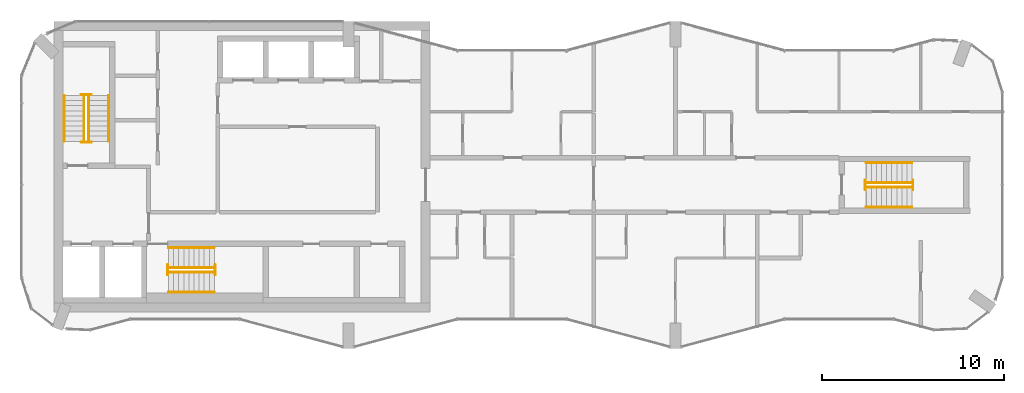
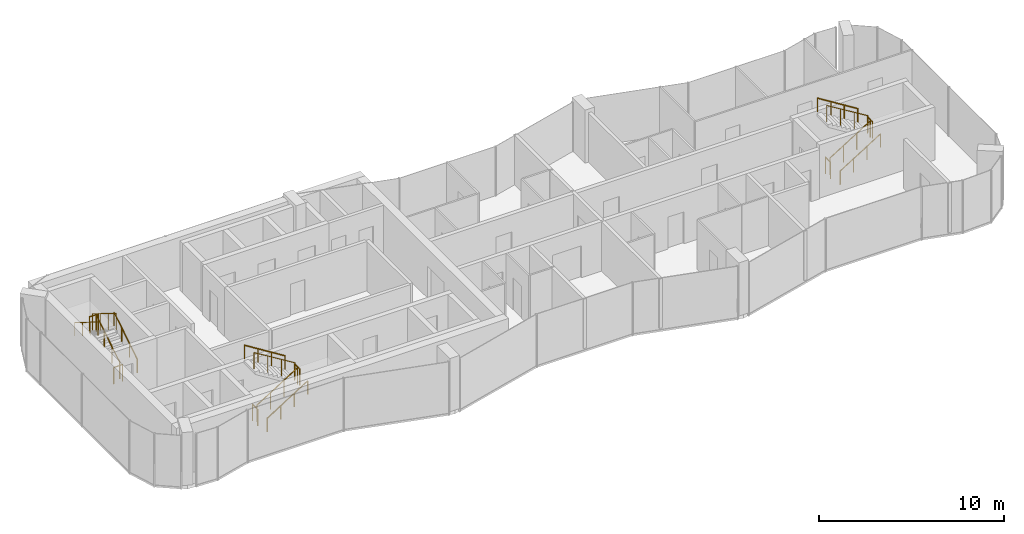
# One storey, part 10 of 10: 18 railings.
"""IFC4 building model written with IfcOpenShell, lengths in metres."""

from ifc_helpers import new_model, si_unit, direction, frame, origin, origin_2d, place, context, subcontext, project, spatial, circle, extrude, material, type_object, element, save


model = new_model("IFC4")

# Units and contexts
model_context = context("Model", 3, precision=1e-05, world=origin(), true_north=direction((0.0, 1.0)))
body_context = subcontext(model_context, "Body", "Model", "MODEL_VIEW")
ifc_project = project(units=[si_unit("LENGTHUNIT", "METRE"), si_unit("AREAUNIT", "SQUARE_METRE"), si_unit("VOLUMEUNIT", "CUBIC_METRE"), si_unit("PLANEANGLEUNIT", "RADIAN"), si_unit("MASSUNIT", "GRAM", prefix="KILO")], contexts=[model_context])

# Site, building, storey
site_placement = place(None, origin())
site = spatial("IfcSite", under=ifc_project, at=site_placement, CompositionType="ELEMENT")
building_placement = place(site_placement, origin())
building = spatial("IfcBuilding", under=site, at=building_placement, Name="Plateau Cross Towers", CompositionType="ELEMENT")
storey_placement = place(building_placement, frame((0.0, 0.0, 245.89990234375)))
storey = spatial("IfcBuildingStorey", under=building, at=storey_placement, Name="L64", CompositionType="ELEMENT", Elevation=245.89990234375)

# Railings
ifc_material_1 = material(Name="Stainless steel and toughened glass", Category="steel")
railing_type_1 = type_object("IfcRailingType", Name="RL-GUARD-1100", PredefinedType="GUARDRAIL", material=ifc_material_1)
railing_1_placement = place(storey_placement, frame((3.699951171875, 11.39990234375, 0.175048828125)))
element("IfcRailing", 1, at=railing_1_placement, inside=storey, type_object=railing_type_1, Name="L64 ST-1 stair guard 1", PredefinedType="GUARDRAIL", context=body_context, shape_type="SweptSolid", body=[
    extrude(circle(Radius=0.02392578125, at=origin_2d()), frame((0.0, 0.0, 1.076171875), z_axis=(0.0, 0.848007534815, 0.529984170421), x_axis=(-1.0, 0.0, 0.0)), (0.0, 0.0, 1.0), 2.9716796875),
    extrude(circle(Radius=0.02099609375, at=origin_2d()), origin(), (0.0, 0.0, 1.0), 1.052001953125),
    extrude(circle(Radius=0.02099609375, at=origin_2d()), frame((0.0, 0.840087890625, 0.52490234375)), (0.0, 0.0, 1.0), 1.052001953125),
    extrude(circle(Radius=0.02099609375, at=origin_2d()), frame((0.0, 1.679931640625, 1.050048828125)), (0.0, 0.0, 1.0), 1.052001953125),
    extrude(circle(Radius=0.02099609375, at=origin_2d()), frame((0.0, 2.52001953125, 1.574951171875)), (0.0, 0.0, 1.0), 1.052001953125),
])
railing_2_placement = place(storey_placement, frame((3.85009765625, 13.969970703125, 1.75)))
element("IfcRailing", 2, at=railing_2_placement, inside=storey, type_object=railing_type_1, Name="L64 ST-1 stair guard 2", PredefinedType="GUARDRAIL", context=body_context, shape_type="SweptSolid", body=[
    extrude(circle(Radius=0.02392578125, at=origin_2d()), frame((0.0, 0.0, 1.076171875), z_axis=(-1.0, 0.0, 0.0), x_axis=(0.0, -1.0, 0.0)), (0.0, 0.0, 1.0), 0.550048828125),
    extrude(circle(Radius=0.02099609375, at=origin_2d()), origin(), (0.0, 0.0, 1.0), 1.052001953125),
    extrude(circle(Radius=0.02099609375, at=origin_2d()), frame((-0.550048828125, 0.0, 0.0)), (0.0, 0.0, 1.0), 1.052001953125),
])
railing_3_placement = place(storey_placement, frame((3.449951171875, 13.919921875, 1.925048828125)))
element("IfcRailing", 3, at=railing_3_placement, inside=storey, type_object=railing_type_1, Name="L64 ST-1 stair guard 3", PredefinedType="GUARDRAIL", context=body_context, shape_type="SweptSolid", body=[
    extrude(circle(Radius=0.02392578125, at=origin_2d()), frame((0.0, 0.0, 1.076171875), z_axis=(0.0, -0.852616386126, 0.522537365276), x_axis=(1.0, 0.0, 0.0)), (0.0, 0.0, 1.0), 3.01416015625),
    extrude(circle(Radius=0.02099609375, at=origin_2d()), origin(), (0.0, 0.0, 1.0), 1.052001953125),
    extrude(circle(Radius=0.02099609375, at=origin_2d()), frame((0.0, -0.856689453125, 0.52490234375)), (0.0, 0.0, 1.0), 1.052001953125),
    extrude(circle(Radius=0.02099609375, at=origin_2d()), frame((0.0, -1.713134765625, 1.050048828125)), (0.0, 0.0, 1.0), 1.052001953125),
    extrude(circle(Radius=0.02099609375, at=origin_2d()), frame((0.0, -2.56982421875, 1.574951171875)), (0.0, 0.0, 1.0), 1.052001953125),
])
railing_4_placement = place(storey_placement, frame((3.85009765625, 11.35009765625, 0.0)))
element("IfcRailing", 4, at=railing_4_placement, inside=storey, type_object=railing_type_1, Name="L64 ST-1 stair guard 4", PredefinedType="GUARDRAIL", context=body_context, shape_type="SweptSolid", body=[
    extrude(circle(Radius=0.02392578125, at=origin_2d()), frame((0.0, 0.0, 1.076171875), z_axis=(-1.0, 0.0, 0.0), x_axis=(0.0, -1.0, 0.0)), (0.0, 0.0, 1.0), 0.550048828125),
    extrude(circle(Radius=0.02099609375, at=origin_2d()), origin(), (0.0, 0.0, 1.0), 1.052001953125),
    extrude(circle(Radius=0.02099609375, at=origin_2d()), frame((-0.550048828125, 0.0, 0.0)), (0.0, 0.0, 1.0), 1.052001953125),
])
railing_5_placement = place(storey_placement, frame((8.10009765625, 4.199951171875, 0.175048828125)))
element("IfcRailing", 5, at=railing_5_placement, inside=storey, type_object=railing_type_1, Name="L64 ST-2 stair guard 1", PredefinedType="GUARDRAIL", context=body_context, shape_type="SweptSolid", body=[
    extrude(circle(Radius=0.02392578125, at=origin_2d()), frame((0.0, 0.0, 1.076171875), z_axis=(0.848007534815, 0.0, 0.529984170421), x_axis=(0.0, 1.0, 0.0)), (0.0, 0.0, 1.0), 2.9716796875),
    extrude(circle(Radius=0.02099609375, at=origin_2d()), origin(), (0.0, 0.0, 1.0), 1.052001953125),
    extrude(circle(Radius=0.02099609375, at=origin_2d()), frame((0.840087890625, 0.0, 0.52490234375)), (0.0, 0.0, 1.0), 1.052001953125),
    extrude(circle(Radius=0.02099609375, at=origin_2d()), frame((1.679931640625, 0.0, 1.050048828125)), (0.0, 0.0, 1.0), 1.052001953125),
    extrude(circle(Radius=0.02099609375, at=origin_2d()), frame((2.52001953125, 0.0, 1.574951171875)), (0.0, 0.0, 1.0), 1.052001953125),
])
railing_6_placement = place(storey_placement, frame((10.669921875, 4.050048828125, 1.75)))
element("IfcRailing", 6, at=railing_6_placement, inside=storey, type_object=railing_type_1, Name="L64 ST-2 stair guard 2", PredefinedType="GUARDRAIL", context=body_context, shape_type="SweptSolid", body=[
    extrude(circle(Radius=0.02392578125, at=origin_2d()), frame((0.0, 0.0, 1.076171875), z_axis=(0.0, 1.0, 0.0), x_axis=(-1.0, 0.0, 0.0)), (0.0, 0.0, 1.0), 0.550048828125),
    extrude(circle(Radius=0.02099609375, at=origin_2d()), origin(), (0.0, 0.0, 1.0), 1.052001953125),
    extrude(circle(Radius=0.02099609375, at=origin_2d()), frame((0.0, 0.550048828125, 0.0)), (0.0, 0.0, 1.0), 1.052001953125),
])
railing_7_placement = place(storey_placement, frame((10.6201171875, 4.449951171875, 1.925048828125)))
element("IfcRailing", 7, at=railing_7_placement, inside=storey, type_object=railing_type_1, Name="L64 ST-2 stair guard 3", PredefinedType="GUARDRAIL", context=body_context, shape_type="SweptSolid", body=[
    extrude(circle(Radius=0.02392578125, at=origin_2d()), frame((0.0, 0.0, 1.076171875), z_axis=(-0.852638500773, 0.0, 0.522501279423), x_axis=(0.0, -1.0, 0.0)), (0.0, 0.0, 1.0), 3.01416015625),
    extrude(circle(Radius=0.02099609375, at=origin_2d()), origin(), (0.0, 0.0, 1.0), 1.052001953125),
    extrude(circle(Radius=0.02099609375, at=origin_2d()), frame((-0.856689453125, 0.0, 0.52490234375)), (0.0, 0.0, 1.0), 1.052001953125),
    extrude(circle(Radius=0.02099609375, at=origin_2d()), frame((-1.71337890625, 0.0, 1.050048828125)), (0.0, 0.0, 1.0), 1.052001953125),
    extrude(circle(Radius=0.02099609375, at=origin_2d()), frame((-2.570068359375, 0.0, 1.574951171875)), (0.0, 0.0, 1.0), 1.052001953125),
])
railing_8_placement = place(storey_placement, frame((8.050048828125, 4.050048828125, 0.0)))
element("IfcRailing", 8, at=railing_8_placement, inside=storey, type_object=railing_type_1, Name="L64 ST-2 stair guard 4", PredefinedType="GUARDRAIL", context=body_context, shape_type="SweptSolid", body=[
    extrude(circle(Radius=0.02392578125, at=origin_2d()), frame((0.0, 0.0, 1.076171875), z_axis=(0.0, 1.0, 0.0), x_axis=(-1.0, 0.0, 0.0)), (0.0, 0.0, 1.0), 0.550048828125),
    extrude(circle(Radius=0.02099609375, at=origin_2d()), origin(), (0.0, 0.0, 1.0), 1.052001953125),
    extrude(circle(Radius=0.02099609375, at=origin_2d()), frame((0.0, 0.550048828125, 0.0)), (0.0, 0.0, 1.0), 1.052001953125),
])
railing_9_placement = place(storey_placement, frame((46.5, 8.875, 0.175048828125)))
element("IfcRailing", 9, at=railing_9_placement, inside=storey, type_object=railing_type_1, Name="L64 ES-E stair guard 1", PredefinedType="GUARDRAIL", context=body_context, shape_type="SweptSolid", body=[
    extrude(circle(Radius=0.02392578125, at=origin_2d()), frame((0.0, 0.0, 1.076171875), z_axis=(0.848007534815, 0.0, 0.529984170421), x_axis=(0.0, 1.0, 0.0)), (0.0, 0.0, 1.0), 2.9716796875),
    extrude(circle(Radius=0.02099609375, at=origin_2d()), origin(), (0.0, 0.0, 1.0), 1.052001953125),
    extrude(circle(Radius=0.02099609375, at=origin_2d()), frame((0.840087890625, 0.0, 0.52490234375)), (0.0, 0.0, 1.0), 1.052001953125),
    extrude(circle(Radius=0.02099609375, at=origin_2d()), frame((1.679931640625, 0.0, 1.050048828125)), (0.0, 0.0, 1.0), 1.052001953125),
    extrude(circle(Radius=0.02099609375, at=origin_2d()), frame((2.52001953125, 0.0, 1.574951171875)), (0.0, 0.0, 1.0), 1.052001953125),
])
railing_10_placement = place(storey_placement, frame((49.070068359375, 8.72509765625, 1.75)))
element("IfcRailing", 10, at=railing_10_placement, inside=storey, type_object=railing_type_1, Name="L64 ES-E stair guard 2", PredefinedType="GUARDRAIL", context=body_context, shape_type="SweptSolid", body=[
    extrude(circle(Radius=0.02392578125, at=origin_2d()), frame((0.0, 0.0, 1.076171875), z_axis=(0.0, 1.0, 0.0), x_axis=(-1.0, 0.0, 0.0)), (0.0, 0.0, 1.0), 0.5498046875),
    extrude(circle(Radius=0.02099609375, at=origin_2d()), origin(), (0.0, 0.0, 1.0), 1.052001953125),
    extrude(circle(Radius=0.02099609375, at=origin_2d()), frame((0.0, 0.5498046875, 0.0)), (0.0, 0.0, 1.0), 1.052001953125),
])
railing_11_placement = place(storey_placement, frame((49.02001953125, 9.125, 1.925048828125)))
element("IfcRailing", 11, at=railing_11_placement, inside=storey, type_object=railing_type_1, Name="L64 ES-E stair guard 3", PredefinedType="GUARDRAIL", context=body_context, shape_type="SweptSolid", body=[
    extrude(circle(Radius=0.02392578125, at=origin_2d()), frame((0.0, 0.0, 1.076171875), z_axis=(-0.852638500773, 0.0, 0.522501279423), x_axis=(0.0, -1.0, 0.0)), (0.0, 0.0, 1.0), 3.01416015625),
    extrude(circle(Radius=0.02099609375, at=origin_2d()), origin(), (0.0, 0.0, 1.0), 1.052001953125),
    extrude(circle(Radius=0.02099609375, at=origin_2d()), frame((-0.856689453125, 0.0, 0.52490234375)), (0.0, 0.0, 1.0), 1.052001953125),
    extrude(circle(Radius=0.02099609375, at=origin_2d()), frame((-1.71337890625, 0.0, 1.050048828125)), (0.0, 0.0, 1.0), 1.052001953125),
    extrude(circle(Radius=0.02099609375, at=origin_2d()), frame((-2.570068359375, 0.0, 1.574951171875)), (0.0, 0.0, 1.0), 1.052001953125),
])
railing_12_placement = place(storey_placement, frame((46.449951171875, 8.72509765625, 0.0)))
element("IfcRailing", 12, at=railing_12_placement, inside=storey, type_object=railing_type_1, Name="L64 ES-E stair guard 4", PredefinedType="GUARDRAIL", context=body_context, shape_type="SweptSolid", body=[
    extrude(circle(Radius=0.02392578125, at=origin_2d()), frame((0.0, 0.0, 1.076171875), z_axis=(0.0, 1.0, 0.0), x_axis=(-1.0, 0.0, 0.0)), (0.0, 0.0, 1.0), 0.5498046875),
    extrude(circle(Radius=0.02099609375, at=origin_2d()), origin(), (0.0, 0.0, 1.0), 1.052001953125),
    extrude(circle(Radius=0.02099609375, at=origin_2d()), frame((0.0, 0.5498046875, 0.0)), (0.0, 0.0, 1.0), 1.052001953125),
])
ifc_material_2 = material(Name="Black anodised aluminium", Category="aluminium")
railing_type_2 = type_object("IfcRailingType", Name="RL-HANDRAIL-900", PredefinedType="HANDRAIL", material=ifc_material_2)
railing_13_placement = place(storey_placement, frame((4.800048828125, 11.39990234375, 0.175048828125)))
element("IfcRailing", 13, at=railing_13_placement, inside=storey, type_object=railing_type_2, Name="L64 ST-1 stair handrail 1", PredefinedType="HANDRAIL", context=body_context, shape_type="SweptSolid", body=[
    extrude(circle(Radius=0.02392578125, at=origin_2d()), frame((0.0, 0.0, 0.8759765625), z_axis=(0.0, 0.848007534815, 0.529984170421), x_axis=(-1.0, 0.0, 0.0)), (0.0, 0.0, 1.0), 2.9716796875),
    extrude(circle(Radius=0.02099609375, at=origin_2d()), origin(), (0.0, 0.0, 1.0), 0.851806640625),
    extrude(circle(Radius=0.02099609375, at=origin_2d()), frame((0.0, 0.840087890625, 0.52490234375)), (0.0, 0.0, 1.0), 0.851806640625),
    extrude(circle(Radius=0.02099609375, at=origin_2d()), frame((0.0, 1.679931640625, 1.050048828125)), (0.0, 0.0, 1.0), 0.851806640625),
    extrude(circle(Radius=0.02099609375, at=origin_2d()), frame((0.0, 2.52001953125, 1.574951171875)), (0.0, 0.0, 1.0), 0.851806640625),
])
railing_14_placement = place(storey_placement, frame((2.35009765625, 13.919921875, 1.925048828125)))
element("IfcRailing", 14, at=railing_14_placement, inside=storey, type_object=railing_type_2, Name="L64 ST-1 stair handrail 2", PredefinedType="HANDRAIL", context=body_context, shape_type="SweptSolid", body=[
    extrude(circle(Radius=0.02392578125, at=origin_2d()), frame((0.0, 0.0, 0.8759765625), z_axis=(0.0, -0.848007534815, 0.529984170421), x_axis=(1.0, 0.0, 0.0)), (0.0, 0.0, 1.0), 2.9716796875),
    extrude(circle(Radius=0.02099609375, at=origin_2d()), origin(), (0.0, 0.0, 1.0), 0.851806640625),
    extrude(circle(Radius=0.02099609375, at=origin_2d()), frame((0.0, -0.840087890625, 0.52490234375)), (0.0, 0.0, 1.0), 0.851806640625),
    extrude(circle(Radius=0.02099609375, at=origin_2d()), frame((0.0, -1.679931640625, 1.050048828125)), (0.0, 0.0, 1.0), 0.851806640625),
    extrude(circle(Radius=0.02099609375, at=origin_2d()), frame((0.0, -2.52001953125, 1.574951171875)), (0.0, 0.0, 1.0), 0.851806640625),
])
railing_15_placement = place(storey_placement, frame((8.10009765625, 3.10009765625, 0.175048828125)))
element("IfcRailing", 15, at=railing_15_placement, inside=storey, type_object=railing_type_2, Name="L64 ST-2 stair handrail 1", PredefinedType="HANDRAIL", context=body_context, shape_type="SweptSolid", body=[
    extrude(circle(Radius=0.02392578125, at=origin_2d()), frame((0.0, 0.0, 0.8759765625), z_axis=(0.848007534815, 0.0, 0.529984170421), x_axis=(0.0, 1.0, 0.0)), (0.0, 0.0, 1.0), 2.9716796875),
    extrude(circle(Radius=0.02099609375, at=origin_2d()), origin(), (0.0, 0.0, 1.0), 0.851806640625),
    extrude(circle(Radius=0.02099609375, at=origin_2d()), frame((0.840087890625, 0.0, 0.52490234375)), (0.0, 0.0, 1.0), 0.851806640625),
    extrude(circle(Radius=0.02099609375, at=origin_2d()), frame((1.679931640625, 0.0, 1.050048828125)), (0.0, 0.0, 1.0), 0.851806640625),
    extrude(circle(Radius=0.02099609375, at=origin_2d()), frame((2.52001953125, 0.0, 1.574951171875)), (0.0, 0.0, 1.0), 0.851806640625),
])
railing_16_placement = place(storey_placement, frame((10.6201171875, 5.550048828125, 1.925048828125)))
element("IfcRailing", 16, at=railing_16_placement, inside=storey, type_object=railing_type_2, Name="L64 ST-2 stair handrail 2", PredefinedType="HANDRAIL", context=body_context, shape_type="SweptSolid", body=[
    extrude(circle(Radius=0.02392578125, at=origin_2d()), frame((0.0, 0.0, 0.8759765625), z_axis=(-0.848007534815, 0.0, 0.529984170421), x_axis=(0.0, -1.0, 0.0)), (0.0, 0.0, 1.0), 2.9716796875),
    extrude(circle(Radius=0.02099609375, at=origin_2d()), origin(), (0.0, 0.0, 1.0), 0.851806640625),
    extrude(circle(Radius=0.02099609375, at=origin_2d()), frame((-0.840087890625, 0.0, 0.52490234375)), (0.0, 0.0, 1.0), 0.851806640625),
    extrude(circle(Radius=0.02099609375, at=origin_2d()), frame((-1.679931640625, 0.0, 1.050048828125)), (0.0, 0.0, 1.0), 0.851806640625),
    extrude(circle(Radius=0.02099609375, at=origin_2d()), frame((-2.52001953125, 0.0, 1.574951171875)), (0.0, 0.0, 1.0), 0.851806640625),
])
railing_17_placement = place(storey_placement, frame((46.5, 7.77490234375, 0.175048828125)))
element("IfcRailing", 17, at=railing_17_placement, inside=storey, type_object=railing_type_2, Name="L64 ES-E stair handrail 1", PredefinedType="HANDRAIL", context=body_context, shape_type="SweptSolid", body=[
    extrude(circle(Radius=0.02392578125, at=origin_2d()), frame((0.0, 0.0, 0.8759765625), z_axis=(0.848007534815, 0.0, 0.529984170421), x_axis=(0.0, 1.0, 0.0)), (0.0, 0.0, 1.0), 2.9716796875),
    extrude(circle(Radius=0.02099609375, at=origin_2d()), origin(), (0.0, 0.0, 1.0), 0.851806640625),
    extrude(circle(Radius=0.02099609375, at=origin_2d()), frame((0.840087890625, 0.0, 0.52490234375)), (0.0, 0.0, 1.0), 0.851806640625),
    extrude(circle(Radius=0.02099609375, at=origin_2d()), frame((1.679931640625, 0.0, 1.050048828125)), (0.0, 0.0, 1.0), 0.851806640625),
    extrude(circle(Radius=0.02099609375, at=origin_2d()), frame((2.52001953125, 0.0, 1.574951171875)), (0.0, 0.0, 1.0), 0.851806640625),
])
railing_18_placement = place(storey_placement, frame((49.02001953125, 10.22509765625, 1.925048828125)))
element("IfcRailing", 18, at=railing_18_placement, inside=storey, type_object=railing_type_2, Name="L64 ES-E stair handrail 2", PredefinedType="HANDRAIL", context=body_context, shape_type="SweptSolid", body=[
    extrude(circle(Radius=0.02392578125, at=origin_2d()), frame((0.0, 0.0, 0.8759765625), z_axis=(-0.848007534815, 0.0, 0.529984170421), x_axis=(0.0, -1.0, 0.0)), (0.0, 0.0, 1.0), 2.9716796875),
    extrude(circle(Radius=0.02099609375, at=origin_2d()), origin(), (0.0, 0.0, 1.0), 0.851806640625),
    extrude(circle(Radius=0.02099609375, at=origin_2d()), frame((-0.840087890625, 0.0, 0.52490234375)), (0.0, 0.0, 1.0), 0.851806640625),
    extrude(circle(Radius=0.02099609375, at=origin_2d()), frame((-1.679931640625, 0.0, 1.050048828125)), (0.0, 0.0, 1.0), 0.851806640625),
    extrude(circle(Radius=0.02099609375, at=origin_2d()), frame((-2.52001953125, 0.0, 1.574951171875)), (0.0, 0.0, 1.0), 0.851806640625),
])

save(model, "model.ifc")
